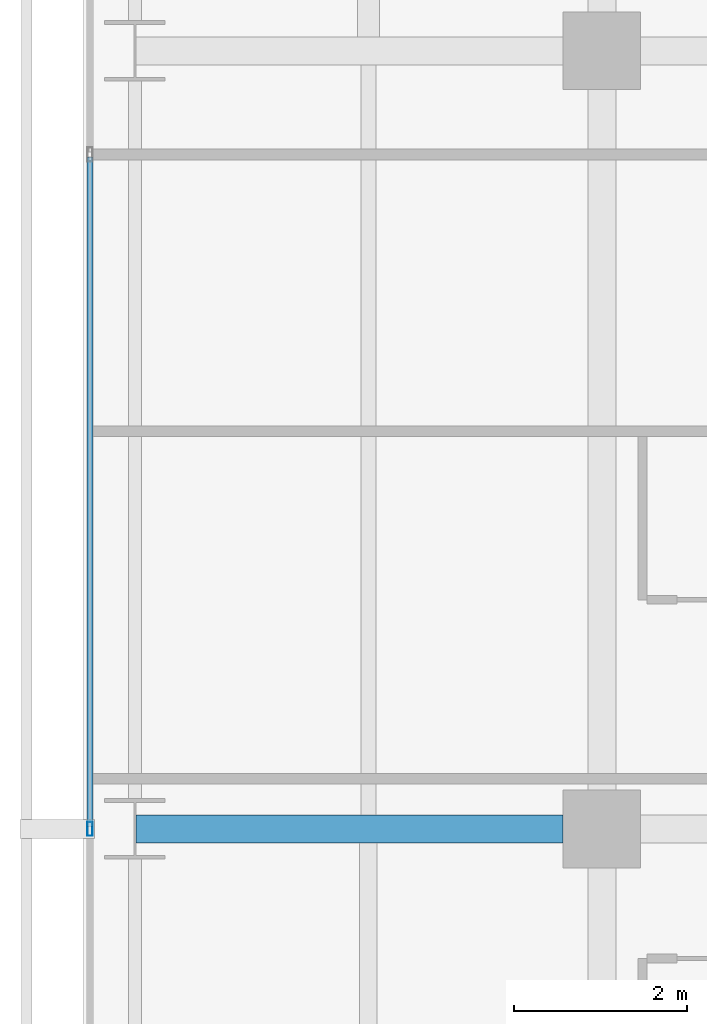
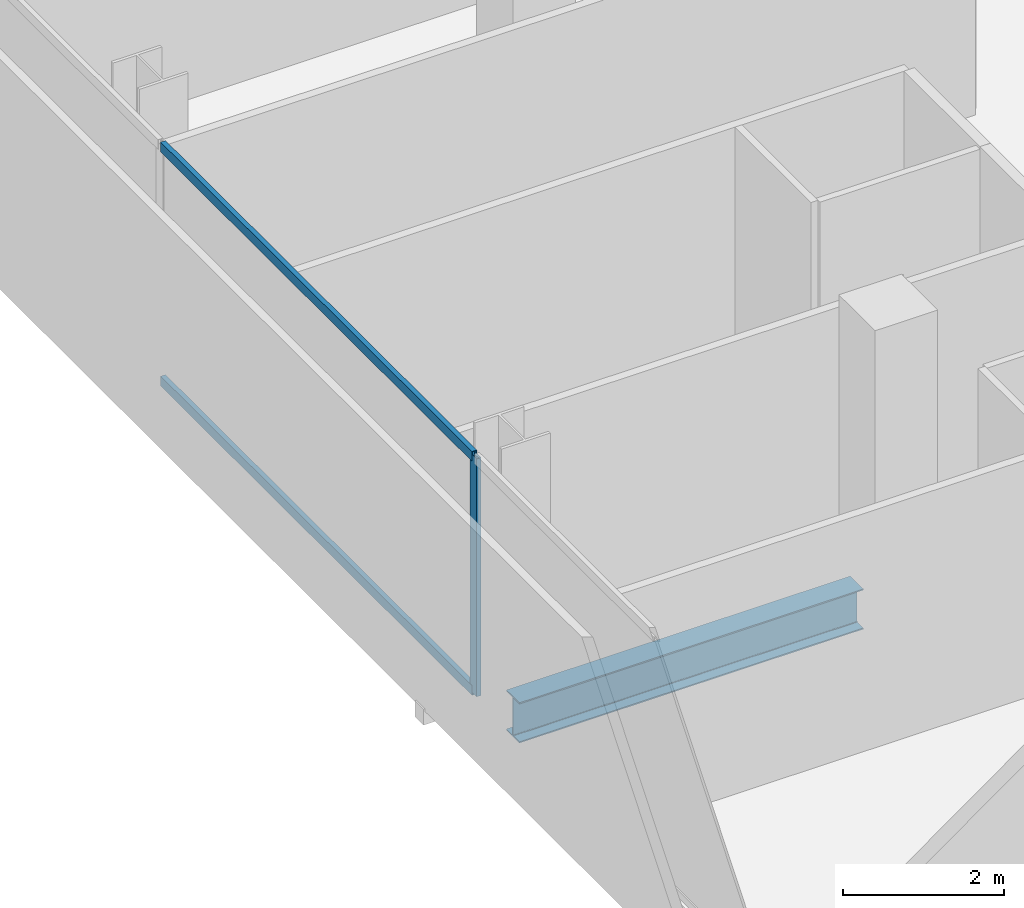
# One storey, part 12 of 40: 3 members, 1 beam, 1 element without a shape of its own.
"""IFC4 building model written with IfcOpenShell, lengths in metres."""

from ifc_helpers import new_model, si_unit, direction, frame, origin, origin_2d, place, context, subcontext, project, spatial, hollow_rectangle, i_section, extrude, material, layer, layer_set, material_profile, profile_set, type_object, element, aggregate, save


model = new_model("IFC4")

# Units and contexts
model_context = context("Model", 3, precision=1e-05, world=origin(), true_north=direction((0.0, 1.0)))
body_context = subcontext(model_context, "Body", "Model", "MODEL_VIEW")
ifc_project = project(units=[si_unit("LENGTHUNIT", "METRE"), si_unit("AREAUNIT", "SQUARE_METRE"), si_unit("VOLUMEUNIT", "CUBIC_METRE"), si_unit("PLANEANGLEUNIT", "RADIAN"), si_unit("MASSUNIT", "GRAM", prefix="KILO")], contexts=[model_context])

# Site, building, storey
site_placement = place(None, origin())
site = spatial("IfcSite", under=ifc_project, at=site_placement, CompositionType="ELEMENT")
building_placement = place(site_placement, origin())
building = spatial("IfcBuilding", under=site, at=building_placement, Name="Maruvema Waterfront Hotel and Observation Tower", CompositionType="ELEMENT")
storey_placement = place(building_placement, frame((0.0, 0.0, 80.85009765625)))
storey = spatial("IfcBuildingStorey", under=building, at=storey_placement, Name="L19", CompositionType="ELEMENT", Elevation=80.85009765625)

# Curtain wall, members
ifc_material_1 = material(Name="Anodised bronze aluminium and solar-control low-E IGU", Category="aluminium")
ifc_layer = layer(ifc_material_1, 0.159912109375, Name="Zone 1 Bronze Inner Thermal Curtain Wall System CW-02")
ifc_layer_set = layer_set([ifc_layer], Name="Anodised bronze aluminium and solar-control low-E IGU")
curtain_wall_type = type_object("IfcCurtainWallType", Name="Zone 1 Bronze Inner Thermal Curtain Wall System CW-02", PredefinedType="USERDEFINED", material=ifc_layer_set)
curtain_wall_placement = place(storey_placement, origin())
curtain_wall = element("IfcCurtainWall", 1, at=curtain_wall_placement, inside=storey, type_object=curtain_wall_type, Name="L19 Curtain Wall CW-L19-W", ObjectType="UNITISED CURTAIN WALL", PredefinedType="USERDEFINED")
ifc_material_2 = material(Name="Anodised architectural bronze aluminium", Category="aluminium")
ifc_material_profile_1 = material_profile(ifc_material_2, hollow_rectangle(XDim=0.070068359375, YDim=0.14990234375, WallThickness=0.00390625, at=origin_2d()), Name="ALU-T70x150")
ifc_profile_set_1 = profile_set([ifc_material_profile_1], Name="Anodised architectural bronze aluminium")
member_type_1 = type_object("IfcMemberType", Name="Curtain Wall Horizontal Transom ALU-T70x150", PredefinedType="USERDEFINED", material=ifc_profile_set_1)
member_1_placement = place(storey_placement, frame((10.8798828125, 34.77001953125, 0.02978515625), z_axis=(0.0, -1.0, 0.0), x_axis=(1.0, 0.0, 0.0)))
member_1 = element("IfcMember", 2, at=member_1_placement, type_object=member_type_1, Name="CW-02 transom 3.1", ObjectType="TRANSOM", PredefinedType="USERDEFINED", context=body_context, shape_type="SweptSolid", body=[
    extrude(hollow_rectangle(XDim=0.070068359375, YDim=0.14990234375, WallThickness=0.00390625, at=origin_2d()), origin(), (0.0, 0.0, 1.0), 7.739990234375),
])
member_2_placement = place(storey_placement, frame((10.8798828125, 34.77001953125, 3.579833984375), z_axis=(0.0, -1.0, 0.0), x_axis=(1.0, 0.0, 0.0)))
member_2 = element("IfcMember", 3, at=member_2_placement, type_object=member_type_1, Name="CW-02 transom 3.2", ObjectType="TRANSOM", PredefinedType="USERDEFINED", context=body_context, shape_type="SweptSolid", body=[
    extrude(hollow_rectangle(XDim=0.070068359375, YDim=0.14990234375, WallThickness=0.00390625, at=origin_2d()), origin(), (0.0, 0.0, 1.0), 7.739990234375),
])
ifc_material_3 = material(Name="Anodised architectural bronze aluminium", Category="aluminium")
ifc_material_profile_2 = material_profile(ifc_material_3, hollow_rectangle(XDim=0.06494140625, YDim=0.1650390625, WallThickness=0.00390625, at=origin_2d()), Name="ALU-M65x165")
ifc_profile_set_2 = profile_set([ifc_material_profile_2], Name="Anodised architectural bronze aluminium")
member_type_2 = type_object("IfcMemberType", Name="Curtain Wall Primary Mullion ALU-M65x165", PredefinedType="MULLION", material=ifc_profile_set_2)
member_3_placement = place(storey_placement, frame((10.8798828125, 27.0, 0.0), z_axis=(0.0, 0.0, 1.0), x_axis=(1.0, 0.0, 0.0)))
member_3 = element("IfcMember", 4, at=member_3_placement, type_object=member_type_2, Name="CW-02 mullion 4", PredefinedType="MULLION", context=body_context, shape_type="SweptSolid", body=[
    extrude(hollow_rectangle(XDim=0.06494140625, YDim=0.1650390625, WallThickness=0.00390625, at=origin_2d()), origin(), (0.0, 0.0, 1.0), 3.60986328125),
])
aggregate(curtain_wall, [member_3, member_1, member_2])

# Beam
ifc_material_4 = material(Name="Steel ASTM A572 Grade 50", Category="steel")
ifc_material_profile_3 = material_profile(ifc_material_4, i_section(OverallWidth=0.323974609375, OverallDepth=0.611083984375, WebThickness=0.0126953125, FlangeThickness=0.01904296875, FilletRadius=0.01806640625, at=origin_2d()), Name="W610x155.0")
ifc_profile_set_3 = profile_set([ifc_material_profile_3], Name="Steel ASTM A572 Grade 50")
beam_type = type_object("IfcBeamType", Name="Primary Floor Girder W610x155.0", PredefinedType="BEAM", material=ifc_profile_set_3)
beam_placement = place(storey_placement, frame((11.4140625, 27.0, -0.545654296875), z_axis=(1.0, 0.0, 0.0), x_axis=(0.0, 1.0, 0.0)))
element("IfcBeam", 5, at=beam_placement, inside=storey, type_object=beam_type, Name="L19 Floor Girder EW-20", PredefinedType="BEAM", context=body_context, shape_type="SweptSolid", body=[
    extrude(i_section(OverallWidth=0.323974609375, OverallDepth=0.611083984375, WebThickness=0.0126953125, FlangeThickness=0.01904296875, FilletRadius=0.01806640625, at=origin_2d()), origin(), (0.0, 0.0, 1.0), 4.93603515625),
])

save(model, "model.ifc")
